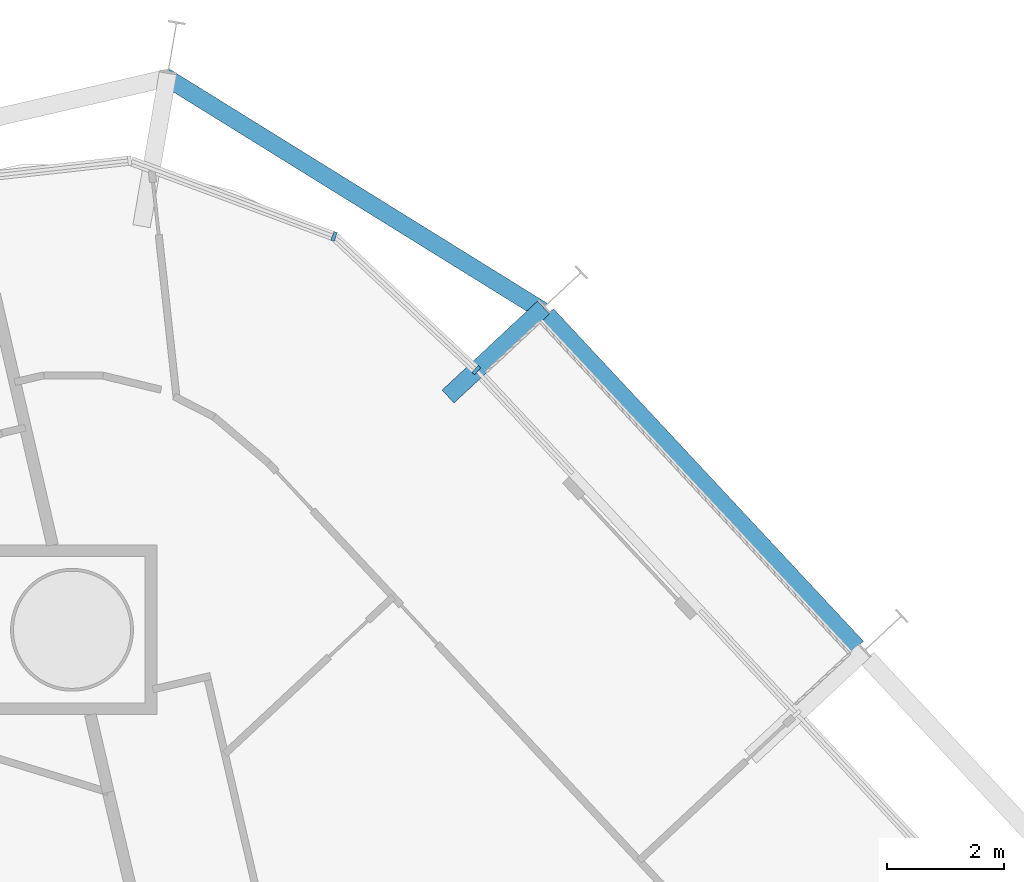
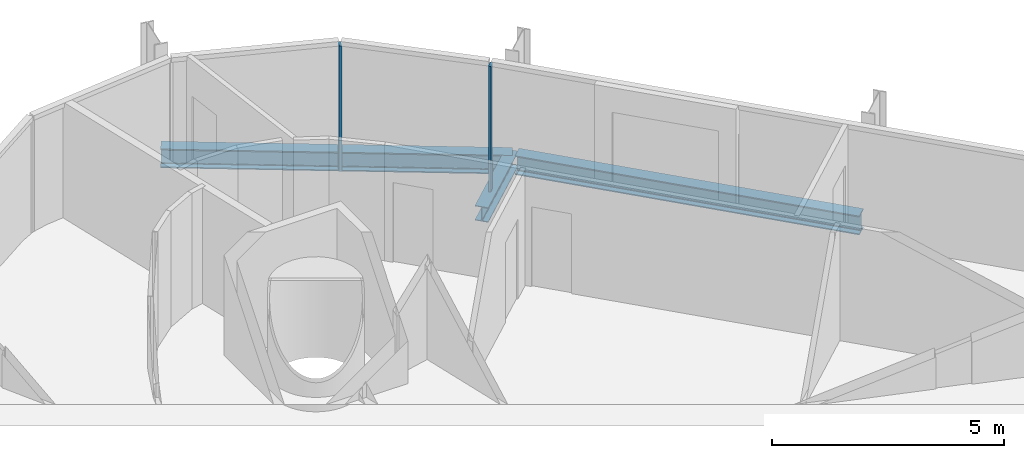
# One storey, part 8 of 18: 3 beams, 2 members, 1 element without a shape of its own.
"""IFC4 building model written with IfcOpenShell, lengths in metres."""

from ifc_helpers import new_model, si_unit, direction, frame, origin, origin_2d, place, context, subcontext, project, spatial, rectangle, i_section, extrude, material, layer, layer_set, material_profile, profile_set, type_object, element, aggregate, save


model = new_model("IFC4")

# Units and contexts
model_context = context("Model", 3, precision=1e-05, world=origin(), true_north=direction((0.0, 1.0)))
body_context = subcontext(model_context, "Body", "Model", "MODEL_VIEW")
ifc_project = project(units=[si_unit("LENGTHUNIT", "METRE"), si_unit("AREAUNIT", "SQUARE_METRE"), si_unit("VOLUMEUNIT", "CUBIC_METRE"), si_unit("PLANEANGLEUNIT", "RADIAN"), si_unit("MASSUNIT", "GRAM", prefix="KILO")], contexts=[model_context])

# Site, building, storey
site_placement = place(None, origin())
site = spatial("IfcSite", under=ifc_project, at=site_placement, CompositionType="ELEMENT")
building_placement = place(site_placement, origin())
building = spatial("IfcBuilding", under=site, at=building_placement, Name="Spindle Arch Residences", CompositionType="ELEMENT")
storey_placement = place(building_placement, frame((0.0, 0.0, 141.39990234375)))
storey = spatial("IfcBuildingStorey", under=building, at=storey_placement, Name="L35", CompositionType="ELEMENT", Elevation=141.39990234375)

# Curtain wall, members
ifc_material_1 = material(Name="Aluminium bronze unitised frame with tinted glass", Category="aluminium")
ifc_layer = layer(ifc_material_1, 0.159912109375)
ifc_layer_set = layer_set([ifc_layer], Name="CW-D corner wall on the fillet arcs")
curtain_wall_type = type_object("IfcCurtainWallType", Name="CW-D corner wall on the fillet arcs", PredefinedType="NOTDEFINED", material=ifc_layer_set)
curtain_wall_placement = place(storey_placement, origin())
curtain_wall = element("IfcCurtainWall", 1, at=curtain_wall_placement, inside=storey, type_object=curtain_wall_type, Name="CW-D L35 run 3", PredefinedType="NOTDEFINED")
ifc_material_2 = material(Name="Aluminium bronze anodised mullion", Category="aluminium")
ifc_material_profile_1 = material_profile(ifc_material_2, rectangle(XDim=0.159912109375, YDim=0.06005859375, at=origin_2d()), Name="MU 60x160")
ifc_profile_set_1 = profile_set([ifc_material_profile_1], Name="Aluminium bronze anodised mullion")
member_type = type_object("IfcMemberType", Name="Bronze mullion 60x160", PredefinedType="MULLION", material=ifc_profile_set_1)
member_1_placement = place(storey_placement, frame((2.010009765625, 25.6611328125, -0.3798828125), z_axis=(0.0, 0.0, 1.0), x_axis=(-0.685289870681, -0.728270412102, 0.0)))
member_1 = element("IfcMember", 2, at=member_1_placement, type_object=member_type, Name="CW-D mullion 00", PredefinedType="MULLION", context=body_context, shape_type="SweptSolid", body=[
    extrude(rectangle(XDim=0.159912109375, YDim=0.06005859375, at=origin_2d()), origin(), (0.0, 0.0, 1.0), 3.31005859375),
])
member_2_placement = place(storey_placement, frame((-0.420654296875, 27.9482421875, -0.3798828125), z_axis=(0.0, 0.0, 1.0), x_axis=(-0.347481235896, -0.937686936403, 0.0)))
member_2 = element("IfcMember", 3, at=member_2_placement, type_object=member_type, Name="CW-D mullion 01", PredefinedType="MULLION", context=body_context, shape_type="SweptSolid", body=[
    extrude(rectangle(XDim=0.159912109375, YDim=0.06005859375, at=origin_2d()), origin(), (0.0, 0.0, 1.0), 3.31005859375),
])
aggregate(curtain_wall, [member_1, member_2])

# Beams
ifc_material_3 = material(Name="Steel S460ML, intumescent coating R 120", Category="steel")
ifc_material_profile_2 = material_profile(ifc_material_3, i_section(OverallWidth=0.300048828125, OverallDepth=0.5, WebThickness=0.014404296875, FlangeThickness=0.028076171875, FilletRadius=0.027099609375, at=origin_2d()), Name="HEB 500")
ifc_profile_set_2 = profile_set([ifc_material_profile_2], Name="Steel S460ML, intumescent coating R 120")
beam_type_1 = type_object("IfcBeamType", Name="Exoskeleton edge beam HEB 500", PredefinedType="BEAM", material=ifc_profile_set_2)
beam_1_placement = place(storey_placement, frame((8.51611328125, 20.927490234375, -0.6298828125), z_axis=(-0.681975565737, 0.731374957007, 0.0), x_axis=(-0.731374957007, -0.681975565737, 0.0)))
element("IfcBeam", 4, at=beam_1_placement, inside=storey, type_object=beam_type_1, Name="Exoskeleton edge beam 9", PredefinedType="BEAM", context=body_context, shape_type="SweptSolid", body=[
    extrude(i_section(OverallWidth=0.300048828125, OverallDepth=0.5, WebThickness=0.014404296875, FlangeThickness=0.028076171875, FilletRadius=0.027099609375, at=origin_2d()), origin(), (0.0, 0.0, 1.0), 7.76904296875),
])
beam_2_placement = place(storey_placement, frame((3.14404296875, 26.67626953125, -0.6298828125), z_axis=(-0.849846805049, 0.52702979797, 0.0), x_axis=(-0.52702979797, -0.849846805049, 0.0)))
element("IfcBeam", 5, at=beam_2_placement, inside=storey, type_object=beam_type_1, Name="Exoskeleton edge beam 10", PredefinedType="BEAM", context=body_context, shape_type="SweptSolid", body=[
    extrude(i_section(OverallWidth=0.300048828125, OverallDepth=0.5, WebThickness=0.014404296875, FlangeThickness=0.028076171875, FilletRadius=0.027099609375, at=origin_2d()), origin(), (0.0, 0.0, 1.0), 7.591552734375),
])
ifc_material_4 = material(Name="Steel S460ML, intumescent coating R 120", Category="steel")
ifc_material_profile_3 = material_profile(ifc_material_4, i_section(OverallWidth=0.300048828125, OverallDepth=0.389892578125, WebThickness=0.010986328125, FlangeThickness=0.01904296875, FilletRadius=0.027099609375, at=origin_2d()), Name="HEA 400")
ifc_profile_set_3 = profile_set([ifc_material_profile_3], Name="Steel S460ML, intumescent coating R 120")
beam_type_2 = type_object("IfcBeamType", Name="Floor outrigger HEA 400", PredefinedType="BEAM", material=ifc_profile_set_3)
beam_3_placement = place(storey_placement, frame((3.158203125, 26.73193359375, -0.574951171875), z_axis=(-0.73130638013, -0.682049102618, 0.0), x_axis=(0.682049102618, -0.73130638013, 0.0)))
element("IfcBeam", 6, at=beam_3_placement, inside=storey, type_object=beam_type_2, Name="Floor outrigger 10", PredefinedType="BEAM", context=body_context, shape_type="SweptSolid", body=[
    extrude(i_section(OverallWidth=0.300048828125, OverallDepth=0.389892578125, WebThickness=0.010986328125, FlangeThickness=0.01904296875, FilletRadius=0.027099609375, at=origin_2d()), origin(), (0.0, 0.0, 1.0), 2.23046875),
])

save(model, "model.ifc")
